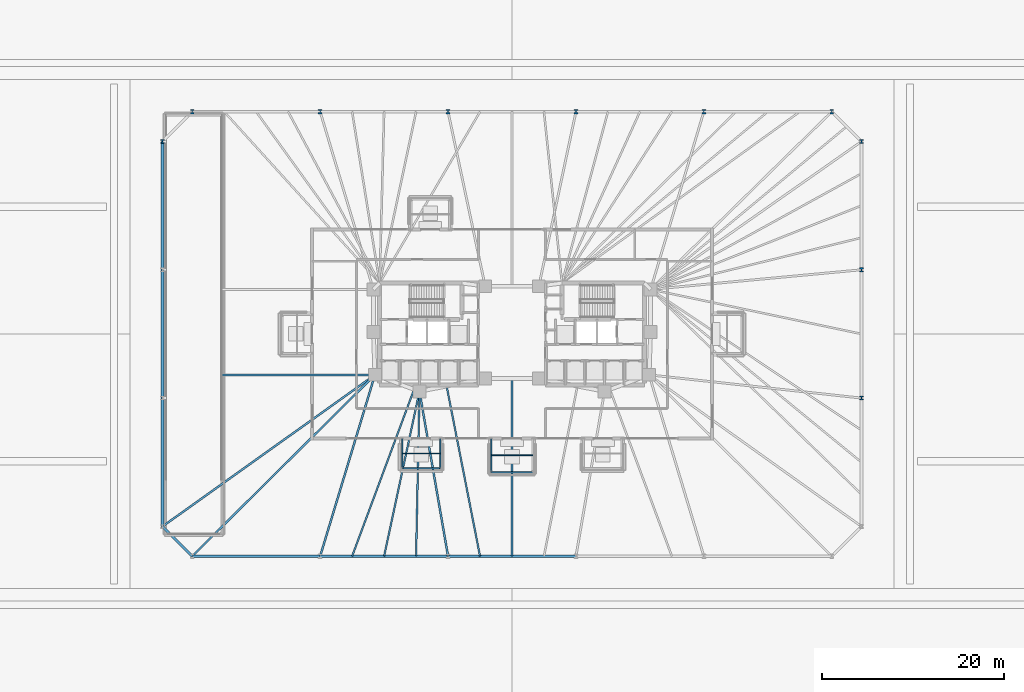
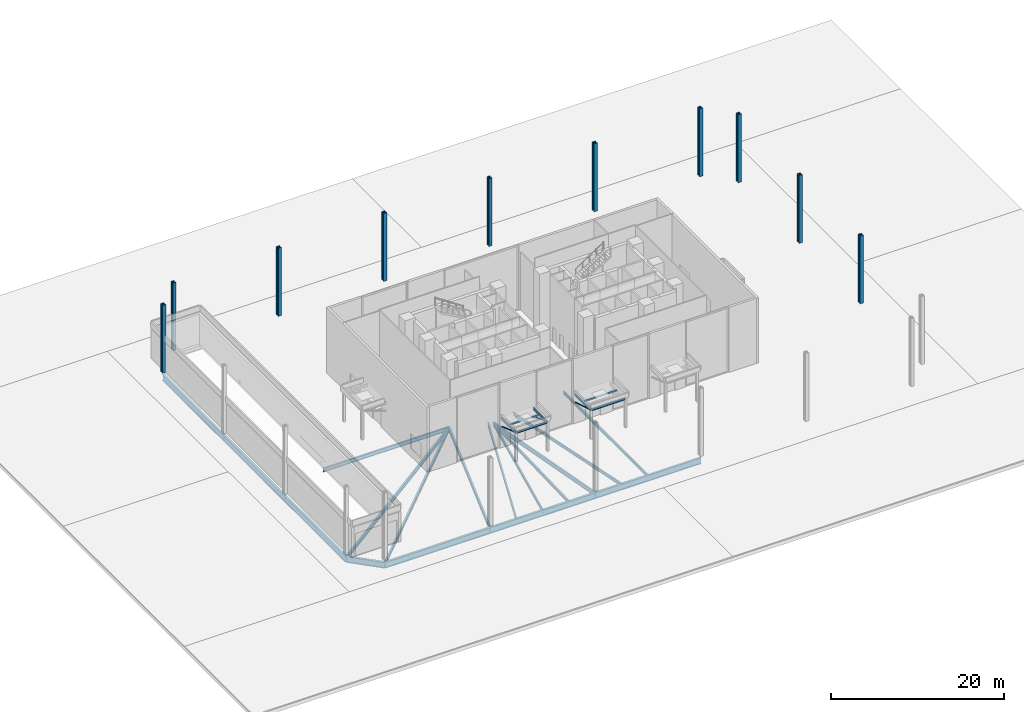
# One storey, part 8 of 24: 22 beams, 10 columns, 5 members.
"""IFC4 building model written with IfcOpenShell, lengths in metres."""

from ifc_helpers import new_model, si_unit, direction, frame, origin, origin_2d, place, context, subcontext, project, spatial, hollow_rectangle, hollow_circle, i_section, extrude, material, material_profile, profile_set, type_object, element, save


model = new_model("IFC4")

# Units and contexts
model_context = context("Model", 3, precision=1e-05, world=origin(), true_north=direction((0.0, 1.0)))
body_context = subcontext(model_context, "Body", "Model", "MODEL_VIEW")
ifc_project = project(units=[si_unit("LENGTHUNIT", "METRE"), si_unit("AREAUNIT", "SQUARE_METRE"), si_unit("VOLUMEUNIT", "CUBIC_METRE"), si_unit("PLANEANGLEUNIT", "RADIAN"), si_unit("MASSUNIT", "GRAM", prefix="KILO")], contexts=[model_context])

# Site, building, storey
site_placement = place(None, origin())
site = spatial("IfcSite", under=ifc_project, at=site_placement, CompositionType="ELEMENT")
building_placement = place(site_placement, origin())
building = spatial("IfcBuilding", under=site, at=building_placement, Name="Menara Jurai Vektor", CompositionType="ELEMENT")
storey_placement = place(building_placement, origin())
storey = spatial("IfcBuildingStorey", under=building, at=storey_placement, Name="L00", CompositionType="ELEMENT", Elevation=0.0)

# Columns
ifc_material_1 = material(Name="Steel S460", Category="steel")
ifc_material_profile_1 = material_profile(ifc_material_1, i_section(OverallWidth=0.427978515625, OverallDepth=0.468994140625, WebThickness=0.077880859375, FlangeThickness=0.125, FilletRadius=0.014892578125, at=origin_2d()), Name="HD 400x1086")
ifc_profile_set_1 = profile_set([ifc_material_profile_1], Name="Steel S460")
column_type = type_object("IfcColumnType", Name="STR-PILOTIS-HD1086", PredefinedType="USERDEFINED", material=ifc_profile_set_1)
for number, where, z_axis, x_axis, name in (
    (1, (38.449951171875, -7.059326171875, 0.0), (0.0, 0.0, 1.0), (1.0, 0.0, 0.0), "Open Pilotis Stilt Column PLT-E2 L00"),
    (2, (38.449951171875, 7.059326171875, 0.0), (0.0, 0.0, 1.0), (1.0, 0.0, 0.0), "Open Pilotis Stilt Column PLT-E3 L00"),
    (3, (38.449951171875, 21.177734375, 0.0), (0.0, 0.0, 1.0), (1.0, 0.0, 0.0), "Open Pilotis Stilt Column PLT-E4 L00"),
    (4, (35.177734375, 24.449951171875, 0.0), (0.0, 0.0, 1.0), (1.0, 0.0, 0.0), "Open Pilotis Stilt Column PLT-N1 L00"),
    (5, (21.106689453125, 24.449951171875, 0.0), (0.0, 0.0, 1.0), (1.0, 0.0, 0.0), "Open Pilotis Stilt Column PLT-N2 L00"),
    (6, (7.03564453125, 24.449951171875, 0.0), (0.0, 0.0, 1.0), (1.0, 0.0, 0.0), "Open Pilotis Stilt Column PLT-N3 L00"),
    (7, (-7.03564453125, 24.449951171875, 0.0), (0.0, 0.0, 1.0), (1.0, 0.0, 0.0), "Open Pilotis Stilt Column PLT-N4 L00"),
    (8, (-21.106689453125, 24.449951171875, 0.0), (0.0, 0.0, 1.0), (1.0, 0.0, 0.0), "Open Pilotis Stilt Column PLT-N5 L00"),
    (9, (-35.177734375, 24.449951171875, 0.0), (0.0, 0.0, 1.0), (1.0, 0.0, 0.0), "Open Pilotis Stilt Column PLT-N6 L00"),
    (10, (-38.449951171875, 21.177734375, 0.0), (0.0, 0.0, 1.0), (1.0, 0.0, 0.0), "Open Pilotis Stilt Column PLT-W1 L00"),
):
    element("IfcColumn", number, at=place(storey_placement, frame(where, z_axis=z_axis, x_axis=x_axis)), inside=storey, type_object=column_type, Name=name, ObjectType="PILOTIS", PredefinedType="USERDEFINED", context=body_context, shape_type="SweptSolid", body=[
        extrude(i_section(OverallWidth=0.427978515625, OverallDepth=0.468994140625, WebThickness=0.077880859375, FlangeThickness=0.125, FilletRadius=0.014892578125, at=origin_2d()), origin(), (0.0, 0.0, 1.0), 9.60009765625),
    ])

# Beams
ifc_material_2 = material(Name="Steel S355", Category="steel")
ifc_material_profile_2 = material_profile(ifc_material_2, i_section(OverallWidth=0.2109375, OverallDepth=0.5390625, WebThickness=0.011962890625, FlangeThickness=0.01904296875, FilletRadius=0.012939453125, at=origin_2d()), Name="UKB 533x210x109")
ifc_profile_set_2 = profile_set([ifc_material_profile_2], Name="Steel S355")
beam_type_1 = type_object("IfcBeamType", Name="STR-BM-533", PredefinedType="BEAM", material=ifc_profile_set_2)
beam_1_placement = place(storey_placement, frame((-35.177734375, -24.449951171875, -0.569580078125), z_axis=(0.709709931659, 0.704494011972, 0.0), x_axis=(-0.704494011972, 0.709709931659, 0.0)))
element("IfcBeam", 11, at=beam_1_placement, inside=storey, type_object=beam_type_1, Name="Podium Radial Girder L00-RG-S1", PredefinedType="BEAM", context=body_context, shape_type="SweptSolid", body=[
    extrude(i_section(OverallWidth=0.2109375, OverallDepth=0.5390625, WebThickness=0.011962890625, FlangeThickness=0.01904296875, FilletRadius=0.012939453125, at=origin_2d()), origin(), (0.0, 0.0, 1.0), 28.318115234375),
])
beam_2_placement = place(storey_placement, frame((-21.106689453125, -24.449951171875, -0.569580078125), z_axis=(0.289179812203, 0.957274796604, 0.0), x_axis=(-0.957274796604, 0.289179812203, 0.0)))
element("IfcBeam", 12, at=beam_2_placement, inside=storey, type_object=beam_type_1, Name="Podium Radial Girder L00-RG-S2", PredefinedType="BEAM", context=body_context, shape_type="SweptSolid", body=[
    extrude(i_section(OverallWidth=0.2109375, OverallDepth=0.5390625, WebThickness=0.011962890625, FlangeThickness=0.01904296875, FilletRadius=0.012939453125, at=origin_2d()), origin(), (0.0, 0.0, 1.0), 20.84033203125),
])
beam_3_placement = place(storey_placement, frame((-7.03564453125, -24.449951171875, -0.569580078125), z_axis=(-0.170880325642, 0.985291791455, 0.0), x_axis=(-0.985291791455, -0.170880325642, 0.0)))
element("IfcBeam", 13, at=beam_3_placement, inside=storey, type_object=beam_type_1, Name="Podium Radial Girder L00-RG-S3", PredefinedType="BEAM", context=body_context, shape_type="SweptSolid", body=[
    extrude(i_section(OverallWidth=0.2109375, OverallDepth=0.5390625, WebThickness=0.011962890625, FlangeThickness=0.01904296875, FilletRadius=0.012939453125, at=origin_2d()), origin(), (0.0, 0.0, 1.0), 18.400634765625),
])
beam_4_placement = place(storey_placement, frame((-31.949951171875, -4.5, -0.569580078125), z_axis=(1.0, 0.0, 0.0), x_axis=(0.0, 1.0, 0.0)))
element("IfcBeam", 14, at=beam_4_placement, inside=storey, type_object=beam_type_1, Name="Podium Girder L00-W3B", PredefinedType="BEAM", context=body_context, shape_type="SweptSolid", body=[
    extrude(i_section(OverallWidth=0.2109375, OverallDepth=0.5390625, WebThickness=0.011962890625, FlangeThickness=0.01904296875, FilletRadius=0.012939453125, at=origin_2d()), origin(), (0.0, 0.0, 1.0), 16.869873046875),
])
beam_5_placement = place(storey_placement, frame((-38.449951171875, -21.177734375, -0.569580078125), z_axis=(0.813981033216, 0.580891450759, 0.0), x_axis=(-0.580891450759, 0.813981033216, 0.0)))
element("IfcBeam", 15, at=beam_5_placement, inside=storey, type_object=beam_type_1, Name="Podium Radial Girder L00-RG-W4", PredefinedType="BEAM", context=body_context, shape_type="SweptSolid", body=[
    extrude(i_section(OverallWidth=0.2109375, OverallDepth=0.5390625, WebThickness=0.011962890625, FlangeThickness=0.01904296875, FilletRadius=0.012939453125, at=origin_2d()), origin(), (0.0, 0.0, 1.0), 28.710693359375),
])
ifc_material_profile_3 = material_profile(ifc_material_2, i_section(OverallWidth=0.178955078125, OverallDepth=0.408935546875, WebThickness=0.009033203125, FlangeThickness=0.013916015625, FilletRadius=0.010009765625, at=origin_2d()), Name="UKB 406x178x67")
ifc_profile_set_3 = profile_set([ifc_material_profile_3], Name="Steel S355")
beam_type_2 = type_object("IfcBeamType", Name="STR-JS-406", PredefinedType="JOIST", material=ifc_profile_set_3)
beam_6_placement = place(storey_placement, frame((-17.5888671875, -24.449951171875, -0.50439453125), z_axis=(0.348179014223, 0.937428063403, 0.0), x_axis=(-0.937428063403, 0.348179014223, 0.0)))
element("IfcBeam", 16, at=beam_6_placement, inside=storey, type_object=beam_type_2, Name="Radial Secondary Floor Joist L00-JS01", PredefinedType="JOIST", context=body_context, shape_type="SweptSolid", body=[
    extrude(i_section(OverallWidth=0.178955078125, OverallDepth=0.408935546875, WebThickness=0.009033203125, FlangeThickness=0.013916015625, FilletRadius=0.010009765625, at=origin_2d()), origin(), (0.0, 0.0, 1.0), 19.5751953125),
])
beam_7_placement = place(storey_placement, frame((-14.071044921875, -24.449951171875, -0.50439453125), z_axis=(0.209845584412, 0.977734539997, 0.0), x_axis=(-0.977734539997, 0.209845584412, 0.0)))
element("IfcBeam", 17, at=beam_7_placement, inside=storey, type_object=beam_type_2, Name="Radial Secondary Floor Joist L00-JS02", PredefinedType="JOIST", context=body_context, shape_type="SweptSolid", body=[
    extrude(i_section(OverallWidth=0.178955078125, OverallDepth=0.408935546875, WebThickness=0.009033203125, FlangeThickness=0.013916015625, FilletRadius=0.010009765625, at=origin_2d()), origin(), (0.0, 0.0, 1.0), 18.542724609375),
])
beam_8_placement = place(storey_placement, frame((-10.55322265625, -24.449951171875, -0.50439453125), z_axis=(0.020585456509, 0.999788097039, 0.0), x_axis=(-0.999788097039, 0.020585456509, 0.0)))
element("IfcBeam", 18, at=beam_8_placement, inside=storey, type_object=beam_type_2, Name="Radial Secondary Floor Joist L00-JS03", PredefinedType="JOIST", context=body_context, shape_type="SweptSolid", body=[
    extrude(i_section(OverallWidth=0.178955078125, OverallDepth=0.408935546875, WebThickness=0.009033203125, FlangeThickness=0.013916015625, FilletRadius=0.010009765625, at=origin_2d()), origin(), (0.0, 0.0, 1.0), 18.1337890625),
])
beam_9_placement = place(storey_placement, frame((-3.517822265625, -24.449951171875, -0.50439453125), z_axis=(-0.192723076671, 0.981253186348, 0.0), x_axis=(-0.981253186348, -0.192723076671, 0.0)))
element("IfcBeam", 19, at=beam_9_placement, inside=storey, type_object=beam_type_2, Name="Radial Secondary Floor Joist L00-JS04", PredefinedType="JOIST", context=body_context, shape_type="SweptSolid", body=[
    extrude(i_section(OverallWidth=0.178955078125, OverallDepth=0.408935546875, WebThickness=0.009033203125, FlangeThickness=0.013916015625, FilletRadius=0.010009765625, at=origin_2d()), origin(), (0.0, 0.0, 1.0), 19.07421875),
])
beam_10_placement = place(storey_placement, frame((0.0, -24.449951171875, -0.50439453125), z_axis=(0.0, 1.0, 0.0), x_axis=(-1.0, 0.0, 0.0)))
element("IfcBeam", 20, at=beam_10_placement, inside=storey, type_object=beam_type_2, Name="Radial Secondary Floor Joist L00-JS05", PredefinedType="JOIST", context=body_context, shape_type="SweptSolid", body=[
    extrude(i_section(OverallWidth=0.178955078125, OverallDepth=0.408935546875, WebThickness=0.009033203125, FlangeThickness=0.013916015625, FilletRadius=0.010009765625, at=origin_2d()), origin(), (0.0, 0.0, 1.0), 19.550048828125),
])
ifc_material_profile_4 = material_profile(ifc_material_2, i_section(OverallWidth=0.1650390625, OverallDepth=0.302978515625, WebThickness=0.006103515625, FlangeThickness=0.010009765625, FilletRadius=0.009033203125, at=origin_2d()), Name="UKB 305x165x40")
ifc_profile_set_4 = profile_set([ifc_material_profile_4], Name="Steel S355")
beam_type_3 = type_object("IfcBeamType", Name="STR-LN-305", PredefinedType="LINTEL", material=ifc_profile_set_4)
beam_11_placement = place(storey_placement, frame((-12.10009765625, -14.800048828125, 4.048583984375), z_axis=(1.0, 0.0, 0.0), x_axis=(0.0, 1.0, 0.0)))
element("IfcBeam", 21, at=beam_11_placement, inside=storey, type_object=beam_type_3, Name="Canopy Front Beam E1", PredefinedType="LINTEL", context=body_context, shape_type="SweptSolid", body=[
    extrude(i_section(OverallWidth=0.1650390625, OverallDepth=0.302978515625, WebThickness=0.006103515625, FlangeThickness=0.010009765625, FilletRadius=0.009033203125, at=origin_2d()), origin(), (0.0, 0.0, 1.0), 4.2001953125),
])
for number, where, z_axis, x_axis, name in (
    (22, (-12.10009765625, -11.5, 4.048583984375), (0.0, -1.0, 0.0), (1.0, 0.0, 0.0), "Canopy Cantilever Arm E1-1"),
    (23, (-7.89990234375, -11.5, 4.048583984375), (0.0, -1.0, 0.0), (1.0, 0.0, 0.0), "Canopy Cantilever Arm E1-2"),
):
    element("IfcBeam", number, at=place(storey_placement, frame(where, z_axis=z_axis, x_axis=x_axis)), inside=storey, type_object=beam_type_3, Name=name, PredefinedType="BEAM", context=body_context, shape_type="SweptSolid", body=[
        extrude(i_section(OverallWidth=0.1650390625, OverallDepth=0.302978515625, WebThickness=0.006103515625, FlangeThickness=0.010009765625, FilletRadius=0.009033203125, at=origin_2d()), origin(), (0.0, 0.0, 1.0), 3.300048828125),
    ])
beam_12_placement = place(storey_placement, frame((-2.300048828125, -15.199951171875, 4.048583984375), z_axis=(1.0, 0.0, 0.0), x_axis=(0.0, 1.0, 0.0)))
element("IfcBeam", 24, at=beam_12_placement, inside=storey, type_object=beam_type_3, Name="Canopy Front Beam E2", PredefinedType="LINTEL", context=body_context, shape_type="SweptSolid", body=[
    extrude(i_section(OverallWidth=0.1650390625, OverallDepth=0.302978515625, WebThickness=0.006103515625, FlangeThickness=0.010009765625, FilletRadius=0.009033203125, at=origin_2d()), origin(), (0.0, 0.0, 1.0), 4.60009765625),
])
beam_13_placement = place(storey_placement, frame((-2.300048828125, -11.5, 4.048583984375), z_axis=(0.0, -1.0, 0.0), x_axis=(1.0, 0.0, 0.0)))
element("IfcBeam", 25, at=beam_13_placement, inside=storey, type_object=beam_type_3, Name="Canopy Cantilever Arm E2-1", PredefinedType="BEAM", context=body_context, shape_type="SweptSolid", body=[
    extrude(i_section(OverallWidth=0.1650390625, OverallDepth=0.302978515625, WebThickness=0.006103515625, FlangeThickness=0.010009765625, FilletRadius=0.009033203125, at=origin_2d()), origin(), (0.0, 0.0, 1.0), 3.699951171875),
])

# Members
ifc_material_profile_5 = material_profile(ifc_material_2, hollow_rectangle(XDim=0.10009765625, YDim=0.199951171875, WallThickness=0.008056640625, at=origin_2d()), Name="RHS 200x100x8")
ifc_profile_set_5 = profile_set([ifc_material_profile_5], Name="Steel S355")
member_type_1 = type_object("IfcMemberType", Name="STR-PR-RHS200", PredefinedType="PURLIN", material=ifc_profile_set_5)
member_1_placement = place(storey_placement, frame((-12.10009765625, -13.14990234375, 4.094970703125), z_axis=(1.0, 0.0, 0.0), x_axis=(0.0, 1.0, 0.0)))
element("IfcMember", 26, at=member_1_placement, inside=storey, type_object=member_type_1, Name="Entrance Canopy Purlin E1", PredefinedType="PURLIN", context=body_context, shape_type="SweptSolid", body=[
    extrude(hollow_rectangle(XDim=0.10009765625, YDim=0.199951171875, WallThickness=0.008056640625, at=origin_2d()), origin(), (0.0, 0.0, 1.0), 4.2001953125),
])
member_2_placement = place(storey_placement, frame((-2.300048828125, -13.35009765625, 4.094970703125), z_axis=(1.0, 0.0, 0.0), x_axis=(0.0, 1.0, 0.0)))
element("IfcMember", 27, at=member_2_placement, inside=storey, type_object=member_type_1, Name="Entrance Canopy Purlin E2", PredefinedType="PURLIN", context=body_context, shape_type="SweptSolid", body=[
    extrude(hollow_rectangle(XDim=0.10009765625, YDim=0.199951171875, WallThickness=0.008056640625, at=origin_2d()), origin(), (0.0, 0.0, 1.0), 4.60009765625),
])

# Beams
ifc_material_profile_6 = material_profile(ifc_material_1, i_section(OverallWidth=0.2939453125, OverallDepth=0.85107421875, WebThickness=0.01611328125, FlangeThickness=0.027099609375, FilletRadius=0.01806640625, at=origin_2d()), Name="UKB 838x292x226")
ifc_profile_set_6 = profile_set([ifc_material_profile_6], Name="Steel S460")
beam_type_4 = type_object("IfcBeamType", Name="STR-SP-838", PredefinedType="SPANDREL", material=ifc_profile_set_6)
for number, where, z_axis, x_axis, name in (
    (28, (-35.177734375, -24.449951171875, -0.7255859375), (1.0, 0.0, 0.0), (0.0, 1.0, 0.0), "Podium Perimeter Girder L00-SP01"),
    (29, (-21.106689453125, -24.449951171875, -0.7255859375), (1.0, 0.0, 0.0), (0.0, 1.0, 0.0), "Podium Perimeter Girder L00-SP02"),
):
    element("IfcBeam", number, at=place(storey_placement, frame(where, z_axis=z_axis, x_axis=x_axis)), inside=storey, type_object=beam_type_4, Name=name, PredefinedType="SPANDREL", context=body_context, shape_type="SweptSolid", body=[
        extrude(i_section(OverallWidth=0.2939453125, OverallDepth=0.85107421875, WebThickness=0.01611328125, FlangeThickness=0.027099609375, FilletRadius=0.01806640625, at=origin_2d()), origin(), (0.0, 0.0, 1.0), 14.071044921875),
    ])
beam_14_placement = place(storey_placement, frame((-7.03564453125, -24.449951171875, -0.7255859375), z_axis=(1.0, 0.0, 0.0), x_axis=(0.0, 1.0, 0.0)))
element("IfcBeam", 30, at=beam_14_placement, inside=storey, type_object=beam_type_4, Name="Podium Perimeter Girder L00-SP03", PredefinedType="SPANDREL", context=body_context, shape_type="SweptSolid", body=[
    extrude(i_section(OverallWidth=0.2939453125, OverallDepth=0.85107421875, WebThickness=0.01611328125, FlangeThickness=0.027099609375, FilletRadius=0.01806640625, at=origin_2d()), origin(), (0.0, 0.0, 1.0), 14.0712890625),
])
beam_15_placement = place(storey_placement, frame((-38.449951171875, 21.177734375, -0.7255859375), z_axis=(0.0, -1.0, 0.0), x_axis=(1.0, 0.0, 0.0)))
element("IfcBeam", 31, at=beam_15_placement, inside=storey, type_object=beam_type_4, Name="Podium Perimeter Girder L00-SP17", PredefinedType="SPANDREL", context=body_context, shape_type="SweptSolid", body=[
    extrude(i_section(OverallWidth=0.2939453125, OverallDepth=0.85107421875, WebThickness=0.01611328125, FlangeThickness=0.027099609375, FilletRadius=0.01806640625, at=origin_2d()), origin(), (0.0, 0.0, 1.0), 14.118408203125),
])
beam_16_placement = place(storey_placement, frame((-38.449951171875, 7.059326171875, -0.7255859375), z_axis=(0.0, -1.0, 0.0), x_axis=(1.0, 0.0, 0.0)))
element("IfcBeam", 32, at=beam_16_placement, inside=storey, type_object=beam_type_4, Name="Podium Perimeter Girder L00-SP18", PredefinedType="SPANDREL", context=body_context, shape_type="SweptSolid", body=[
    extrude(i_section(OverallWidth=0.2939453125, OverallDepth=0.85107421875, WebThickness=0.01611328125, FlangeThickness=0.027099609375, FilletRadius=0.01806640625, at=origin_2d()), origin(), (0.0, 0.0, 1.0), 14.11865234375),
])
beam_17_placement = place(storey_placement, frame((-38.449951171875, -7.059326171875, -0.7255859375), z_axis=(0.0, -1.0, 0.0), x_axis=(1.0, 0.0, 0.0)))
element("IfcBeam", 33, at=beam_17_placement, inside=storey, type_object=beam_type_4, Name="Podium Perimeter Girder L00-SP19", PredefinedType="SPANDREL", context=body_context, shape_type="SweptSolid", body=[
    extrude(i_section(OverallWidth=0.2939453125, OverallDepth=0.85107421875, WebThickness=0.01611328125, FlangeThickness=0.027099609375, FilletRadius=0.01806640625, at=origin_2d()), origin(), (0.0, 0.0, 1.0), 14.118408203125),
])
beam_18_placement = place(storey_placement, frame((-38.449951171875, -21.177734375, -0.7255859375), z_axis=(0.707106781187, -0.707106781187, 0.0), x_axis=(0.707106781187, 0.707106781187, 0.0)))
element("IfcBeam", 34, at=beam_18_placement, inside=storey, type_object=beam_type_4, Name="Podium Perimeter Girder L00-SP20", PredefinedType="SPANDREL", context=body_context, shape_type="SweptSolid", body=[
    extrude(i_section(OverallWidth=0.2939453125, OverallDepth=0.85107421875, WebThickness=0.01611328125, FlangeThickness=0.027099609375, FilletRadius=0.01806640625, at=origin_2d()), origin(), (0.0, 0.0, 1.0), 4.627685546875),
])

# Members
ifc_material_profile_7 = material_profile(ifc_material_2, hollow_circle(Radius=0.084228515625, WallThickness=0.008056640625, at=origin_2d()), Name="CHS 168.3x8")
ifc_profile_set_7 = profile_set([ifc_material_profile_7], Name="Steel S355")
member_type_2 = type_object("IfcMemberType", Name="STR-ST-168", PredefinedType="STRUT", material=ifc_profile_set_7)
for number, where, z_axis, x_axis, name in (
    (35, (-12.10009765625, -11.5, 2.89990234375), (0.0, -0.94429210062, 0.329108536363), (1.0, 0.0, 0.0), "Entrance Canopy Strut E1-1"),
    (36, (-7.89990234375, -11.5, 2.89990234375), (0.0, -0.94429210062, 0.329108536363), (1.0, 0.0, 0.0), "Entrance Canopy Strut E1-2"),
):
    element("IfcMember", number, at=place(storey_placement, frame(where, z_axis=z_axis, x_axis=x_axis)), inside=storey, type_object=member_type_2, Name=name, PredefinedType="STRUT", context=body_context, shape_type="SweptSolid", body=[
        extrude(hollow_circle(Radius=0.084228515625, WallThickness=0.008056640625, at=origin_2d()), origin(), (0.0, 0.0, 1.0), 3.49462890625),
    ])
member_3_placement = place(storey_placement, frame((-2.300048828125, -11.5, 2.89990234375), z_axis=(0.0, -0.954926257654, 0.296843127668), x_axis=(1.0, 0.0, 0.0)))
element("IfcMember", 37, at=member_3_placement, inside=storey, type_object=member_type_2, Name="Entrance Canopy Strut E2-1", PredefinedType="STRUT", context=body_context, shape_type="SweptSolid", body=[
    extrude(hollow_circle(Radius=0.084228515625, WallThickness=0.008056640625, at=origin_2d()), origin(), (0.0, 0.0, 1.0), 3.87451171875),
])

save(model, "model.ifc")
